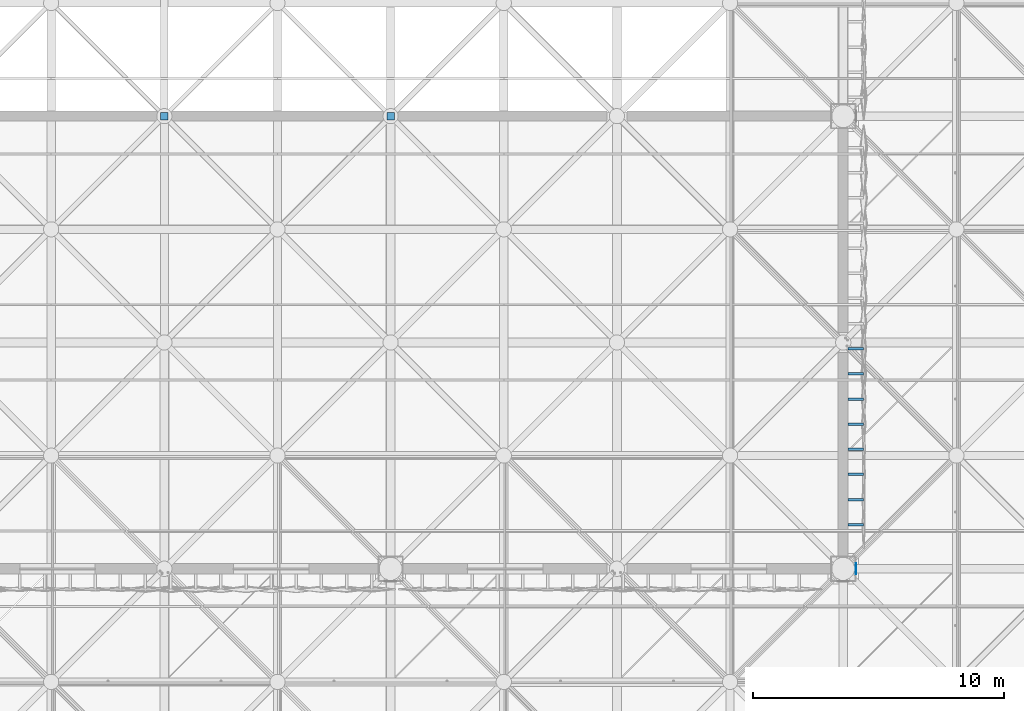
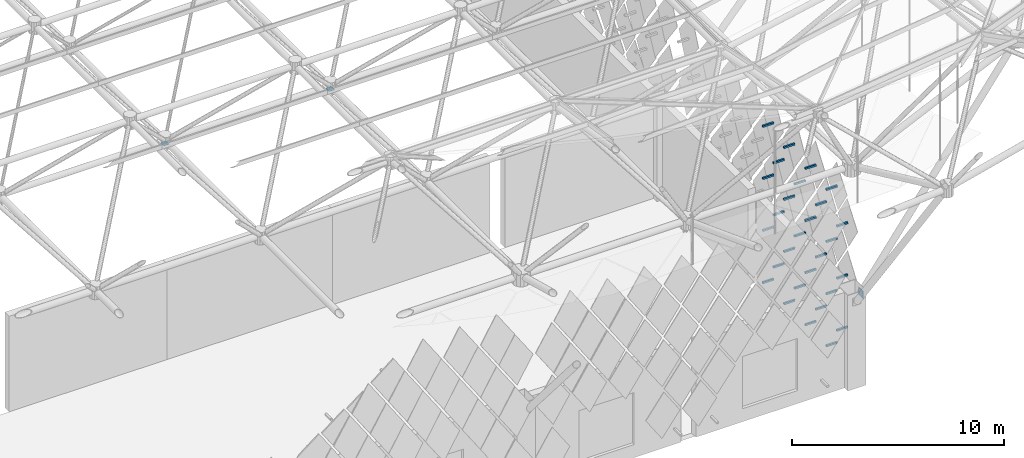
# One storey, part 373 of 437: 31 discrete accessories.
"""IFC4 building model written with IfcOpenShell, lengths in metres."""

from ifc_helpers import new_model, si_unit, direction, frame, origin, origin_2d, place, context, subcontext, project, spatial, polyline, rectangle, outline, extrude, material, layer, layer_set, type_object, element, save


model = new_model("IFC4")

# Units and contexts
model_context = context("Model", 3, precision=1e-05, world=origin(), true_north=direction((0.0, 1.0)))
body_context = subcontext(model_context, "Body", "Model", "MODEL_VIEW")
ifc_project = project(units=[si_unit("LENGTHUNIT", "METRE"), si_unit("AREAUNIT", "SQUARE_METRE"), si_unit("VOLUMEUNIT", "CUBIC_METRE"), si_unit("PLANEANGLEUNIT", "RADIAN"), si_unit("MASSUNIT", "GRAM", prefix="KILO")], contexts=[model_context])

# Site, building, storey
site_placement = place(None, origin())
site = spatial("IfcSite", under=ifc_project, at=site_placement, CompositionType="ELEMENT")
building_placement = place(site_placement, origin())
building = spatial("IfcBuilding", under=site, at=building_placement, Name="Opaline Strait Convention Centre", CompositionType="ELEMENT")
storey_placement = place(building_placement, frame((0.0, 0.0, 11.5)))
storey = spatial("IfcBuildingStorey", under=building, at=storey_placement, Name="L02", CompositionType="ELEMENT", Elevation=11.5)

# Discrete accessories
ifc_material_1 = material(Name="Steel Q355B", Category="steel")
ifc_layer_1 = layer(ifc_material_1, 0.02001953125)
ifc_layer_set_1 = layer_set([ifc_layer_1], Name="Steel Q355B")
discrete_accessory_type_1 = type_object("IfcDiscreteAccessoryType", Name="Cast-in anchor plate 300 x 300 x 20", PredefinedType="ANCHORPLATE", material=ifc_layer_set_1)
for number, where, z_axis, x_axis, name in (
    (1, (234.0, 72.0, 12.305419921875), (0.0, 0.0, 1.0), (1.0, 0.0, 0.0), "Cast-in anchor plate at the Hall south wall, web ends at 234"),
    (2, (243.0, 72.0, 12.29248046875), (0.0, 0.0, 1.0), (1.0, 0.0, 0.0), "Cast-in anchor plate at the Hall south wall, web ends at 243"),
):
    element("IfcDiscreteAccessory", number, at=place(storey_placement, frame(where, z_axis=z_axis, x_axis=x_axis)), inside=storey, type_object=discrete_accessory_type_1, Name=name, PredefinedType="ANCHORPLATE", context=body_context, shape_type="SweptSolid", body=[
        extrude(rectangle(XDim=0.300048828125, YDim=0.300048828125, at=origin_2d()), origin(), (0.0, 0.0, 1.0), 0.02001953125),
    ])
ifc_material_2 = material(Name="Structural steel Q355B", Category="steel")
ifc_layer_2 = layer(ifc_material_2, 0.01611328125)
ifc_layer_set_2 = layer_set([ifc_layer_2], Name="Structural steel Q355B")
discrete_accessory_type_2 = type_object("IfcDiscreteAccessoryType", Name="Prop bearing plate 450 x 450 x 16", PredefinedType="ANCHORPLATE", material=ifc_layer_set_2)
discrete_accessory_1_placement = place(storey_placement, frame((0.0, 0.0, 4.796875)))
element("IfcDiscreteAccessory", 3, at=discrete_accessory_1_placement, inside=storey, type_object=discrete_accessory_type_2, Name="Prop bearing plate 261/54 E", PredefinedType="ANCHORPLATE", context=body_context, shape_type="SweptSolid", body=[
    extrude(outline(polyline([(261.5, 53.77490234375), (261.51611328125, 53.77490234375), (261.51611328125, 54.22509765625), (261.5, 54.22509765625), (261.5, 53.77490234375)])), origin(), (0.0, 0.0, 1.0), 0.449951171875),
])
discrete_accessory_type_3 = type_object("IfcDiscreteAccessoryType", Name="Tile bracket 100x100 steel", PredefinedType="BRACKET", material=ifc_material_1)
discrete_accessory_2_placement = place(storey_placement, frame((261.199951171875, 56.699951171875, 0.39208984375), z_axis=(0.0, 1.0, 0.0), x_axis=(-1.0, 0.0, 0.0)))
element("IfcDiscreteAccessory", 4, at=discrete_accessory_2_placement, inside=storey, type_object=discrete_accessory_type_3, Name="Tile bracket XT03 E", PredefinedType="BRACKET", context=body_context, shape_type="SweptSolid", body=[
    extrude(outline(polyline([(0.0, -0.050048828125), (0.0, 0.050048828125), (-0.601318359375, 0.050048828125), (-0.5986328125, -0.050048828125), (0.0, -0.050048828125)])), origin(), (0.0, 0.0, 1.0), 0.10009765625),
])
discrete_accessory_3_placement = place(storey_placement, frame((261.199951171875, 58.699951171875, 0.39208984375), z_axis=(0.0, 1.0, 0.0), x_axis=(-1.0, 0.0, 0.0)))
element("IfcDiscreteAccessory", 5, at=discrete_accessory_3_placement, inside=storey, type_object=discrete_accessory_type_3, Name="Tile bracket XT06 E", PredefinedType="BRACKET", context=body_context, shape_type="SweptSolid", body=[
    extrude(outline(polyline([(0.0, -0.050048828125), (0.0, 0.050048828125), (-0.6025390625, 0.050048828125), (-0.597412109375, -0.050048828125), (0.0, -0.050048828125)])), origin(), (0.0, 0.0, 1.0), 0.10009765625),
])
discrete_accessory_4_placement = place(storey_placement, frame((261.199951171875, 60.699951171875, 0.39208984375), z_axis=(0.0, 1.0, 0.0), x_axis=(-1.0, 0.0, 0.0)))
element("IfcDiscreteAccessory", 6, at=discrete_accessory_4_placement, inside=storey, type_object=discrete_accessory_type_3, Name="Tile bracket XT07 E", PredefinedType="BRACKET", context=body_context, shape_type="SweptSolid", body=[
    extrude(outline(polyline([(0.0, -0.050048828125), (0.0, 0.050048828125), (-0.60302734375, 0.050048828125), (-0.596923828125, -0.050048828125), (0.0, -0.050048828125)])), origin(), (0.0, 0.0, 1.0), 0.10009765625),
])
discrete_accessory_5_placement = place(storey_placement, frame((261.199951171875, 62.699951171875, 0.39208984375), z_axis=(0.0, 1.0, 0.0), x_axis=(-1.0, 0.0, 0.0)))
element("IfcDiscreteAccessory", 7, at=discrete_accessory_5_placement, inside=storey, type_object=discrete_accessory_type_3, Name="Tile bracket XT09 E", PredefinedType="BRACKET", context=body_context, shape_type="SweptSolid", body=[
    extrude(outline(polyline([(0.0, -0.050048828125), (0.0, 0.050048828125), (-0.60400390625, 0.050048828125), (-0.595947265625, -0.050048828125), (0.0, -0.050048828125)])), origin(), (0.0, 0.0, 1.0), 0.10009765625),
])
discrete_accessory_6_placement = place(storey_placement, frame((261.199951171875, 55.699951171875, 1.89208984375), z_axis=(0.0, 1.0, 0.0), x_axis=(-1.0, 0.0, 0.0)))
element("IfcDiscreteAccessory", 8, at=discrete_accessory_6_placement, inside=storey, type_object=discrete_accessory_type_3, Name="Tile bracket XT02 E", PredefinedType="BRACKET", context=body_context, shape_type="SweptSolid", body=[
    extrude(outline(polyline([(0.0, -0.050048828125), (0.0, 0.050048828125), (-0.600830078125, 0.050048828125), (-0.59912109375, -0.050048828125), (0.0, -0.050048828125)])), origin(), (0.0, 0.0, 1.0), 0.10009765625),
])
discrete_accessory_7_placement = place(storey_placement, frame((261.199951171875, 57.699951171875, 1.89208984375), z_axis=(0.0, 1.0, 0.0), x_axis=(-1.0, 0.0, 0.0)))
element("IfcDiscreteAccessory", 9, at=discrete_accessory_7_placement, inside=storey, type_object=discrete_accessory_type_3, Name="Tile bracket XT03 E", PredefinedType="BRACKET", context=body_context, shape_type="SweptSolid", body=[
    extrude(outline(polyline([(0.0, -0.050048828125), (0.0, 0.050048828125), (-0.601318359375, 0.050048828125), (-0.5986328125, -0.050048828125), (0.0, -0.050048828125)])), origin(), (0.0, 0.0, 1.0), 0.10009765625),
])
discrete_accessory_8_placement = place(storey_placement, frame((261.199951171875, 59.699951171875, 1.89208984375), z_axis=(0.0, 1.0, 0.0), x_axis=(-1.0, 0.0, 0.0)))
element("IfcDiscreteAccessory", 10, at=discrete_accessory_8_placement, inside=storey, type_object=discrete_accessory_type_3, Name="Tile bracket XT06 E", PredefinedType="BRACKET", context=body_context, shape_type="SweptSolid", body=[
    extrude(outline(polyline([(0.0, -0.050048828125), (0.0, 0.050048828125), (-0.6025390625, 0.050048828125), (-0.597412109375, -0.050048828125), (0.0, -0.050048828125)])), origin(), (0.0, 0.0, 1.0), 0.10009765625),
])
discrete_accessory_9_placement = place(storey_placement, frame((261.199951171875, 61.699951171875, 1.89208984375), z_axis=(0.0, 1.0, 0.0), x_axis=(-1.0, 0.0, 0.0)))
element("IfcDiscreteAccessory", 11, at=discrete_accessory_9_placement, inside=storey, type_object=discrete_accessory_type_3, Name="Tile bracket XT08 E", PredefinedType="BRACKET", context=body_context, shape_type="SweptSolid", body=[
    extrude(outline(polyline([(0.0, -0.050048828125), (0.0, 0.050048828125), (-0.603515625, 0.050048828125), (-0.596435546875, -0.050048828125), (0.0, -0.050048828125)])), origin(), (0.0, 0.0, 1.0), 0.10009765625),
])
discrete_accessory_10_placement = place(storey_placement, frame((261.199951171875, 56.699951171875, 3.39208984375), z_axis=(0.0, 1.0, 0.0), x_axis=(-1.0, 0.0, 0.0)))
element("IfcDiscreteAccessory", 12, at=discrete_accessory_10_placement, inside=storey, type_object=discrete_accessory_type_3, Name="Tile bracket XT02 E", PredefinedType="BRACKET", context=body_context, shape_type="SweptSolid", body=[
    extrude(outline(polyline([(0.0, -0.050048828125), (0.0, 0.050048828125), (-0.600830078125, 0.050048828125), (-0.59912109375, -0.050048828125), (0.0, -0.050048828125)])), origin(), (0.0, 0.0, 1.0), 0.10009765625),
])
discrete_accessory_11_placement = place(storey_placement, frame((261.199951171875, 58.699951171875, 3.39208984375), z_axis=(0.0, 1.0, 0.0), x_axis=(-1.0, 0.0, 0.0)))
element("IfcDiscreteAccessory", 13, at=discrete_accessory_11_placement, inside=storey, type_object=discrete_accessory_type_3, Name="Tile bracket XT03 E", PredefinedType="BRACKET", context=body_context, shape_type="SweptSolid", body=[
    extrude(outline(polyline([(0.0, -0.050048828125), (0.0, 0.050048828125), (-0.601318359375, 0.050048828125), (-0.5986328125, -0.050048828125), (0.0, -0.050048828125)])), origin(), (0.0, 0.0, 1.0), 0.10009765625),
])
discrete_accessory_12_placement = place(storey_placement, frame((261.199951171875, 60.699951171875, 3.39208984375), z_axis=(0.0, 1.0, 0.0), x_axis=(-1.0, 0.0, 0.0)))
element("IfcDiscreteAccessory", 14, at=discrete_accessory_12_placement, inside=storey, type_object=discrete_accessory_type_3, Name="Tile bracket XT06 E", PredefinedType="BRACKET", context=body_context, shape_type="SweptSolid", body=[
    extrude(outline(polyline([(0.0, -0.050048828125), (0.0, 0.050048828125), (-0.6025390625, 0.050048828125), (-0.597412109375, -0.050048828125), (0.0, -0.050048828125)])), origin(), (0.0, 0.0, 1.0), 0.10009765625),
])
discrete_accessory_13_placement = place(storey_placement, frame((261.199951171875, 62.699951171875, 3.39208984375), z_axis=(0.0, 1.0, 0.0), x_axis=(-1.0, 0.0, 0.0)))
element("IfcDiscreteAccessory", 15, at=discrete_accessory_13_placement, inside=storey, type_object=discrete_accessory_type_3, Name="Tile bracket XT08 E", PredefinedType="BRACKET", context=body_context, shape_type="SweptSolid", body=[
    extrude(outline(polyline([(0.0, -0.050048828125), (0.0, 0.050048828125), (-0.603515625, 0.050048828125), (-0.596435546875, -0.050048828125), (0.0, -0.050048828125)])), origin(), (0.0, 0.0, 1.0), 0.10009765625),
])
discrete_accessory_14_placement = place(storey_placement, frame((261.199951171875, 55.699951171875, 4.89208984375), z_axis=(0.0, 1.0, 0.0), x_axis=(-1.0, 0.0, 0.0)))
element("IfcDiscreteAccessory", 16, at=discrete_accessory_14_placement, inside=storey, type_object=discrete_accessory_type_3, Name="Tile bracket XT02 E", PredefinedType="BRACKET", context=body_context, shape_type="SweptSolid", body=[
    extrude(outline(polyline([(0.0, -0.050048828125), (0.0, 0.050048828125), (-0.59912109375, 0.050048828125), (-0.600830078125, -0.050048828125), (0.0, -0.050048828125)])), origin(), (0.0, 0.0, 1.0), 0.10009765625),
])
discrete_accessory_15_placement = place(storey_placement, frame((261.199951171875, 57.699951171875, 4.89208984375), z_axis=(0.0, 1.0, 0.0), x_axis=(-1.0, 0.0, 0.0)))
element("IfcDiscreteAccessory", 17, at=discrete_accessory_15_placement, inside=storey, type_object=discrete_accessory_type_3, Name="Tile bracket XT02 E", PredefinedType="BRACKET", context=body_context, shape_type="SweptSolid", body=[
    extrude(outline(polyline([(0.0, -0.050048828125), (0.0, 0.050048828125), (-0.600830078125, 0.050048828125), (-0.59912109375, -0.050048828125), (0.0, -0.050048828125)])), origin(), (0.0, 0.0, 1.0), 0.10009765625),
])
discrete_accessory_16_placement = place(storey_placement, frame((261.199951171875, 59.699951171875, 4.89208984375), z_axis=(0.0, 1.0, 0.0), x_axis=(-1.0, 0.0, 0.0)))
element("IfcDiscreteAccessory", 18, at=discrete_accessory_16_placement, inside=storey, type_object=discrete_accessory_type_3, Name="Tile bracket XT03 E", PredefinedType="BRACKET", context=body_context, shape_type="SweptSolid", body=[
    extrude(outline(polyline([(0.0, -0.050048828125), (0.0, 0.050048828125), (-0.601318359375, 0.050048828125), (-0.5986328125, -0.050048828125), (0.0, -0.050048828125)])), origin(), (0.0, 0.0, 1.0), 0.10009765625),
])
discrete_accessory_17_placement = place(storey_placement, frame((261.199951171875, 61.699951171875, 4.89208984375), z_axis=(0.0, 1.0, 0.0), x_axis=(-1.0, 0.0, 0.0)))
element("IfcDiscreteAccessory", 19, at=discrete_accessory_17_placement, inside=storey, type_object=discrete_accessory_type_3, Name="Tile bracket XT06 E", PredefinedType="BRACKET", context=body_context, shape_type="SweptSolid", body=[
    extrude(outline(polyline([(0.0, -0.050048828125), (0.0, 0.050048828125), (-0.6025390625, 0.050048828125), (-0.597412109375, -0.050048828125), (0.0, -0.050048828125)])), origin(), (0.0, 0.0, 1.0), 0.10009765625),
])
discrete_accessory_18_placement = place(storey_placement, frame((261.199951171875, 56.699951171875, 6.39208984375), z_axis=(0.0, 1.0, 0.0), x_axis=(-1.0, 0.0, 0.0)))
element("IfcDiscreteAccessory", 20, at=discrete_accessory_18_placement, inside=storey, type_object=discrete_accessory_type_3, Name="Tile bracket XT02 E", PredefinedType="BRACKET", context=body_context, shape_type="SweptSolid", body=[
    extrude(outline(polyline([(0.0, -0.050048828125), (0.0, 0.050048828125), (-0.59912109375, 0.050048828125), (-0.600830078125, -0.050048828125), (0.0, -0.050048828125)])), origin(), (0.0, 0.0, 1.0), 0.10009765625),
])
for number, where, z_axis, x_axis, name in (
    (21, (261.199951171875, 58.699951171875, 6.39208984375), (0.0, 1.0, 0.0), (-1.0, 0.0, 0.0), "Tile bracket XT03 E"),
    (22, (261.199951171875, 60.699951171875, 6.39208984375), (0.0, 1.0, 0.0), (-1.0, 0.0, 0.0), "Tile bracket XT03 E"),
):
    element("IfcDiscreteAccessory", number, at=place(storey_placement, frame(where, z_axis=z_axis, x_axis=x_axis)), inside=storey, type_object=discrete_accessory_type_3, Name=name, PredefinedType="BRACKET", context=body_context, shape_type="SweptSolid", body=[
        extrude(outline(polyline([(0.0, -0.050048828125), (0.0, 0.050048828125), (-0.601318359375, 0.050048828125), (-0.5986328125, -0.050048828125), (0.0, -0.050048828125)])), origin(), (0.0, 0.0, 1.0), 0.10009765625),
    ])
discrete_accessory_19_placement = place(storey_placement, frame((261.199951171875, 62.699951171875, 6.39208984375), z_axis=(0.0, 1.0, 0.0), x_axis=(-1.0, 0.0, 0.0)))
element("IfcDiscreteAccessory", 23, at=discrete_accessory_19_placement, inside=storey, type_object=discrete_accessory_type_3, Name="Tile bracket XT06 E", PredefinedType="BRACKET", context=body_context, shape_type="SweptSolid", body=[
    extrude(outline(polyline([(0.0, -0.050048828125), (0.0, 0.050048828125), (-0.6025390625, 0.050048828125), (-0.597412109375, -0.050048828125), (0.0, -0.050048828125)])), origin(), (0.0, 0.0, 1.0), 0.10009765625),
])
discrete_accessory_20_placement = place(storey_placement, frame((261.199951171875, 55.699951171875, 7.89208984375), z_axis=(0.0, 1.0, 0.0), x_axis=(-1.0, 0.0, 0.0)))
element("IfcDiscreteAccessory", 24, at=discrete_accessory_20_placement, inside=storey, type_object=discrete_accessory_type_3, Name="Tile bracket XT04 E", PredefinedType="BRACKET", context=body_context, shape_type="SweptSolid", body=[
    extrude(outline(polyline([(0.0, -0.050048828125), (0.0, 0.050048828125), (-0.59814453125, 0.050048828125), (-0.601806640625, -0.050048828125), (0.0, -0.050048828125)])), origin(), (0.0, 0.0, 1.0), 0.10009765625),
])
discrete_accessory_21_placement = place(storey_placement, frame((261.199951171875, 57.699951171875, 7.89208984375), z_axis=(0.0, 1.0, 0.0), x_axis=(-1.0, 0.0, 0.0)))
element("IfcDiscreteAccessory", 25, at=discrete_accessory_21_placement, inside=storey, type_object=discrete_accessory_type_3, Name="Tile bracket XT02 E", PredefinedType="BRACKET", context=body_context, shape_type="SweptSolid", body=[
    extrude(outline(polyline([(0.0, -0.050048828125), (0.0, 0.050048828125), (-0.59912109375, 0.050048828125), (-0.600830078125, -0.050048828125), (0.0, -0.050048828125)])), origin(), (0.0, 0.0, 1.0), 0.10009765625),
])
for number, where, z_axis, x_axis, name in (
    (26, (261.199951171875, 59.699951171875, 7.89208984375), (0.0, 1.0, 0.0), (-1.0, 0.0, 0.0), "Tile bracket XT03 E"),
    (27, (261.199951171875, 61.699951171875, 7.89208984375), (0.0, 1.0, 0.0), (-1.0, 0.0, 0.0), "Tile bracket XT03 E"),
):
    element("IfcDiscreteAccessory", number, at=place(storey_placement, frame(where, z_axis=z_axis, x_axis=x_axis)), inside=storey, type_object=discrete_accessory_type_3, Name=name, PredefinedType="BRACKET", context=body_context, shape_type="SweptSolid", body=[
        extrude(outline(polyline([(0.0, -0.050048828125), (0.0, 0.050048828125), (-0.601318359375, 0.050048828125), (-0.5986328125, -0.050048828125), (0.0, -0.050048828125)])), origin(), (0.0, 0.0, 1.0), 0.10009765625),
    ])
discrete_accessory_22_placement = place(storey_placement, frame((261.199951171875, 56.699951171875, 9.39208984375), z_axis=(0.0, 1.0, 0.0), x_axis=(-1.0, 0.0, 0.0)))
element("IfcDiscreteAccessory", 28, at=discrete_accessory_22_placement, inside=storey, type_object=discrete_accessory_type_3, Name="Tile bracket XT04 E", PredefinedType="BRACKET", context=body_context, shape_type="SweptSolid", body=[
    extrude(outline(polyline([(0.0, -0.050048828125), (0.0, 0.050048828125), (-0.59814453125, 0.050048828125), (-0.601806640625, -0.050048828125), (0.0, -0.050048828125)])), origin(), (0.0, 0.0, 1.0), 0.10009765625),
])
discrete_accessory_23_placement = place(storey_placement, frame((261.199951171875, 58.699951171875, 9.39208984375), z_axis=(0.0, 1.0, 0.0), x_axis=(-1.0, 0.0, 0.0)))
element("IfcDiscreteAccessory", 29, at=discrete_accessory_23_placement, inside=storey, type_object=discrete_accessory_type_3, Name="Tile bracket XT03 E", PredefinedType="BRACKET", context=body_context, shape_type="SweptSolid", body=[
    extrude(outline(polyline([(0.0, -0.050048828125), (0.0, 0.050048828125), (-0.5986328125, 0.050048828125), (-0.601318359375, -0.050048828125), (0.0, -0.050048828125)])), origin(), (0.0, 0.0, 1.0), 0.10009765625),
])
for number, where, z_axis, x_axis, name in (
    (30, (261.199951171875, 60.699951171875, 9.39208984375), (0.0, 1.0, 0.0), (-1.0, 0.0, 0.0), "Tile bracket XT03 E"),
    (31, (261.199951171875, 62.699951171875, 9.39208984375), (0.0, 1.0, 0.0), (-1.0, 0.0, 0.0), "Tile bracket XT03 E"),
):
    element("IfcDiscreteAccessory", number, at=place(storey_placement, frame(where, z_axis=z_axis, x_axis=x_axis)), inside=storey, type_object=discrete_accessory_type_3, Name=name, PredefinedType="BRACKET", context=body_context, shape_type="SweptSolid", body=[
        extrude(outline(polyline([(0.0, -0.050048828125), (0.0, 0.050048828125), (-0.601318359375, 0.050048828125), (-0.5986328125, -0.050048828125), (0.0, -0.050048828125)])), origin(), (0.0, 0.0, 1.0), 0.10009765625),
    ])

save(model, "model.ifc")
